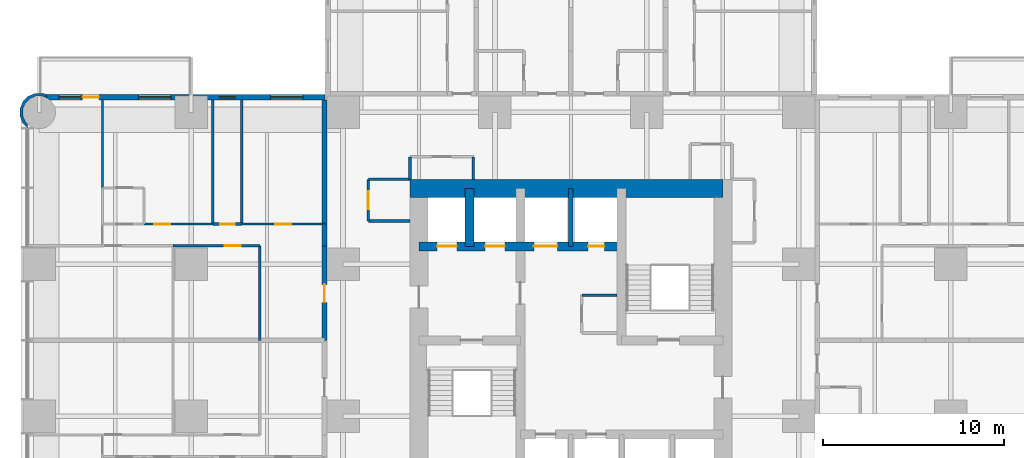
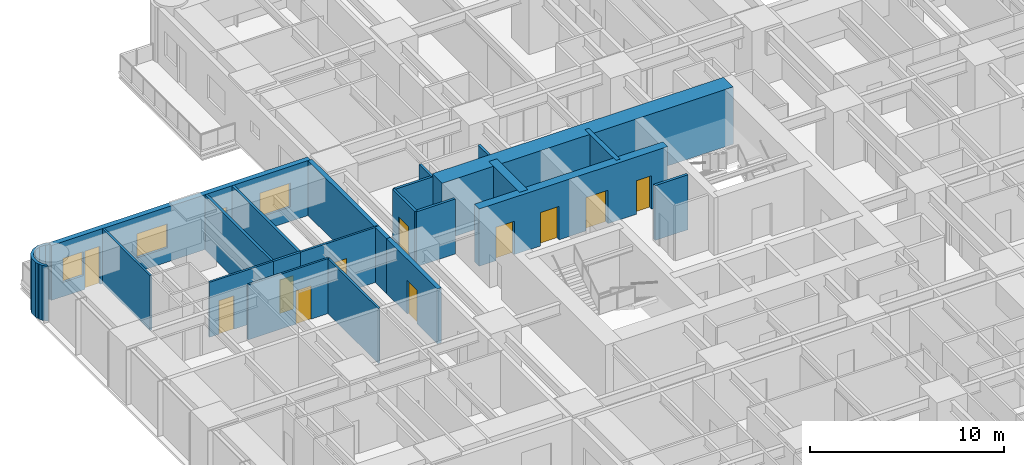
# One storey, part 12 of 17: 23 walls, 11 doors, 4 windows, 15 openings.
"""IFC4 building model written with IfcOpenShell, lengths in metres."""

from ifc_helpers import new_model, si_unit, direction, frame, frame_2d, origin, place, context, subcontext, project, spatial, polyline, rectangle, outline, extrude, material, layer, layer_set, type_object, element, fill, save


model = new_model("IFC4")

# Units and contexts
model_context = context("Model", 3, precision=1e-05, world=origin(), true_north=direction((0.0, 1.0)))
body_context = subcontext(model_context, "Body", "Model", "MODEL_VIEW")
ifc_project = project(units=[si_unit("LENGTHUNIT", "METRE"), si_unit("AREAUNIT", "SQUARE_METRE"), si_unit("VOLUMEUNIT", "CUBIC_METRE"), si_unit("PLANEANGLEUNIT", "RADIAN"), si_unit("MASSUNIT", "GRAM", prefix="KILO")], contexts=[model_context])

# Site, building, storey
site_placement = place(None, origin())
site = spatial("IfcSite", under=ifc_project, at=site_placement, CompositionType="ELEMENT")
building_placement = place(site_placement, origin())
building = spatial("IfcBuilding", under=site, at=building_placement, Name="Torre Alcanfor", CompositionType="ELEMENT")
storey_placement = place(building_placement, frame((0.0, 0.0, 92.10009765625)))
storey = spatial("IfcBuildingStorey", under=building, at=storey_placement, Name="L23", CompositionType="ELEMENT", Elevation=92.10009765625)

# Wall, opening, door
ifc_material_1 = material(Name="Concrete block masonry, hollow blocks NMX-C-404 9 MPa", Category="masonry")
ifc_layer_1 = layer(ifc_material_1, 0.25)
ifc_layer_set_1 = layer_set([ifc_layer_1], Name="Apartment entrance wall 250 EI 60")
wall_type_1 = type_object("IfcWallType", Name="Apartment entrance wall 250 EI 60", PredefinedType="PARTITIONING", material=ifc_layer_set_1)
wall_1_placement = place(storey_placement, frame((15.77490234375, 29.39990234375, 0.0), z_axis=(0.0, 0.0, 1.0), x_axis=(0.0, 1.0, 0.0)))
wall_1 = element("IfcWall", 1, at=wall_1_placement, inside=storey, type_object=wall_type_1, Name="Partition L23-CORR / L23-W2-ZAG", PredefinedType="PARTITIONING", context=body_context, shape_type="SweptSolid", body=[
    extrude(rectangle(XDim=5.22900390625, YDim=0.25, at=frame_2d((2.614501953125, 0.0))), origin(), (0.0, 0.0, 1.0), 3.449951171875),
])
opening_1_placement = place(wall_1_placement, frame((2.10009765625, 0.0, 0.0)))
opening_1 = element("IfcOpeningElement", 2, at=opening_1_placement, cuts=wall_1, Name="Opening D-A1", PredefinedType="OPENING", context=body_context, shape_type="SweptSolid", body=[
    extrude(rectangle(XDim=1.0, YDim=2.10009765625, at=frame_2d((0.5, 1.050048828125))), frame((0.0, 0.135009765625, 0.0), z_axis=(0.0, -1.0, 0.0), x_axis=(1.0, 0.0, 0.0)), (0.0, 0.0, 1.0), 0.27001953125),
])
ifc_material_2 = material(Name="Galvanised steel sheet ASTM A653", Category="steel")
door_type_1 = type_object("IfcDoorType", Name="Apartment entrance door FD60 1000x2100", OperationType="SINGLE_SWING_LEFT", PredefinedType="DOOR", material=ifc_material_2)
door_1_placement = place(opening_1_placement, origin())
door_1 = element("IfcDoor", 3, at=door_1_placement, inside=storey, type_object=door_type_1, Name="Apartment entrance L23-W2", OperationType="SINGLE_SWING_LEFT", OverallHeight=2.10009765625, OverallWidth=1.0, PredefinedType="DOOR", context=body_context, shape_type="SweptSolid", body=[
    extrude(rectangle(XDim=1.0, YDim=2.10009765625, at=frame_2d((0.5, 1.050048828125))), frame((0.0, 0.02490234375, 0.0), z_axis=(0.0, -1.0, 0.0), x_axis=(1.0, 0.0, 0.0)), (0.0, 0.0, 1.0), 0.050048828125),
])
fill(opening_1, door_1)

# Walls
wall_2_placement = place(storey_placement, frame((15.77490234375, 34.62890625, 0.0), z_axis=(0.0, 0.0, 1.0), x_axis=(0.0, 1.0, 0.0)))
element("IfcWall", 4, at=wall_2_placement, inside=storey, type_object=wall_type_1, Name="Partition L23-CORR / L23-W2-HALL", PredefinedType="PARTITIONING", context=body_context, shape_type="SweptSolid", body=[
    extrude(rectangle(XDim=1.2001953125, YDim=0.25, at=frame_2d((0.60009765625, 0.0))), origin(), (0.0, 0.0, 1.0), 3.449951171875),
])
wall_3_placement = place(storey_placement, frame((15.77490234375, 35.8291015625, 0.0), z_axis=(0.0, 0.0, 1.0), x_axis=(0.0, 1.0, 0.0)))
element("IfcWall", 5, at=wall_3_placement, inside=storey, type_object=wall_type_1, Name="Partition L23-CORR / L23-W2-BED2", PredefinedType="PARTITIONING", context=body_context, shape_type="SweptSolid", body=[
    extrude(rectangle(XDim=6.870849609375, YDim=0.25, at=frame_2d((3.435546875, 0.0))), origin(), (0.0, 0.0, 1.0), 3.449951171875),
])
ifc_material_3 = material(Name="Gypsum board on steel studs", Category="steel")
ifc_layer_2 = layer(ifc_material_3, 0.1201171875)
ifc_layer_set_2 = layer_set([ifc_layer_2], Name="Apartment partition 120")
wall_type_2 = type_object("IfcWallType", Name="Apartment partition 120", PredefinedType="PARTITIONING", material=ifc_layer_set_2)
wall_4_placement = place(storey_placement, frame((12.199951171875, 29.39990234375, 0.0), z_axis=(0.0, 0.0, 1.0), x_axis=(0.0, 1.0, 0.0)))
element("IfcWall", 6, at=wall_4_placement, inside=storey, type_object=wall_type_2, Name="Partition L23-W2-ZAG / L23-W2-FAMILY", PredefinedType="PARTITIONING", context=body_context, shape_type="SweptSolid", body=[
    extrude(rectangle(XDim=5.22900390625, YDim=0.1201171875, at=frame_2d((2.614501953125, 0.0))), origin(), (0.0, 0.0, 1.0), 3.449951171875),
])

# Wall, opening, door
wall_5_placement = place(storey_placement, frame((7.39990234375, 34.62890625, 0.0), z_axis=(0.0, 0.0, 1.0), x_axis=(1.0, 0.0, 0.0)))
wall_5 = element("IfcWall", 7, at=wall_5_placement, inside=storey, type_object=wall_type_2, Name="Partition L23-W2-FAMILY / L23-W2-HALL", PredefinedType="PARTITIONING", context=body_context, shape_type="SweptSolid", body=[
    extrude(rectangle(XDim=4.800048828125, YDim=0.1201171875, at=frame_2d((2.39990234375, 0.0))), origin(), (0.0, 0.0, 1.0), 3.449951171875),
])
opening_2_placement = place(wall_5_placement, frame((2.85009765625, 0.0, 0.0)))
opening_2 = element("IfcOpeningElement", 8, at=opening_2_placement, cuts=wall_5, Name="Opening D-R1", PredefinedType="OPENING", context=body_context, shape_type="SweptSolid", body=[
    extrude(rectangle(XDim=0.89990234375, YDim=2.10009765625, at=frame_2d((0.449951171875, 1.050048828125))), frame((0.0, 0.070068359375, 0.0), z_axis=(0.0, -1.0, 0.0), x_axis=(1.0, 0.0, 0.0)), (0.0, 0.0, 1.0), 0.14013671875),
])
ifc_material_4 = material(Name="Timber", Category="wood")
door_type_2 = type_object("IfcDoorType", Name="Internal door 900x2100", OperationType="SINGLE_SWING_LEFT", PredefinedType="DOOR", material=ifc_material_4)
door_2_placement = place(opening_2_placement, frame((0.89990234375, 0.0, 0.0), z_axis=(0.0, 0.0, 1.0), x_axis=(-1.0, 0.0, 0.0)))
door_2 = element("IfcDoor", 9, at=door_2_placement, inside=storey, type_object=door_type_2, Name="Door L23-W2 family", OperationType="SINGLE_SWING_LEFT", OverallHeight=2.10009765625, OverallWidth=0.89990234375, PredefinedType="DOOR", context=body_context, shape_type="SweptSolid", body=[
    extrude(rectangle(XDim=0.89990234375, YDim=2.10009765625, at=frame_2d((0.449951171875, 1.050048828125))), frame((0.0, 0.025146484375, 0.0), z_axis=(0.0, -1.0, 0.0), x_axis=(1.0, 0.0, 0.0)), (0.0, 0.0, 1.0), 0.050048828125),
])
fill(opening_2, door_2)

wall_6_placement = place(storey_placement, frame((11.199951171875, 35.8291015625, 0.0), z_axis=(0.0, 0.0, 1.0), x_axis=(1.0, 0.0, 0.0)))
wall_6 = element("IfcWall", 10, at=wall_6_placement, inside=storey, type_object=wall_type_2, Name="Partition L23-W2-HALL / L23-W2-BED2", PredefinedType="PARTITIONING", context=body_context, shape_type="SweptSolid", body=[
    extrude(rectangle(XDim=4.574951171875, YDim=0.1201171875, at=frame_2d((2.28759765625, 0.0))), origin(), (0.0, 0.0, 1.0), 3.449951171875),
])
opening_3_placement = place(wall_6_placement, frame((1.85009765625, 0.0, 0.0)))
opening_3 = element("IfcOpeningElement", 11, at=opening_3_placement, cuts=wall_6, Name="Opening D-R1", PredefinedType="OPENING", context=body_context, shape_type="SweptSolid", body=[
    extrude(rectangle(XDim=0.89990234375, YDim=2.10009765625, at=frame_2d((0.449951171875, 1.050048828125))), frame((0.0, 0.070068359375, 0.0), z_axis=(0.0, -1.0, 0.0), x_axis=(1.0, 0.0, 0.0)), (0.0, 0.0, 1.0), 0.14013671875),
])
door_3_placement = place(opening_3_placement, origin())
door_3 = element("IfcDoor", 12, at=door_3_placement, inside=storey, type_object=door_type_2, Name="Door L23-W2 bed2", OperationType="SINGLE_SWING_RIGHT", OverallHeight=2.10009765625, OverallWidth=0.89990234375, PredefinedType="DOOR", context=body_context, shape_type="SweptSolid", body=[
    extrude(rectangle(XDim=0.89990234375, YDim=2.10009765625, at=frame_2d((0.449951171875, 1.050048828125))), frame((0.0, 0.02490234375, 0.0), z_axis=(0.0, -1.0, 0.0), x_axis=(1.0, 0.0, 0.0)), (0.0, 0.0, 1.0), 0.050048828125),
])
fill(opening_3, door_3)

wall_7_placement = place(storey_placement, frame((5.800048828125, 35.8291015625, 0.0), z_axis=(0.0, 0.0, 1.0), x_axis=(1.0, 0.0, 0.0)))
wall_7 = element("IfcWall", 13, at=wall_7_placement, inside=storey, type_object=wall_type_2, Name="Partition L23-W2-HALL / L23-W2-MASTER", PredefinedType="PARTITIONING", context=body_context, shape_type="SweptSolid", body=[
    extrude(rectangle(XDim=3.800048828125, YDim=0.1201171875, at=frame_2d((1.89990234375, 0.0))), origin(), (0.0, 0.0, 1.0), 3.449951171875),
])
opening_4_placement = place(wall_7_placement, frame((0.550048828125, 0.0, 0.0)))
opening_4 = element("IfcOpeningElement", 14, at=opening_4_placement, cuts=wall_7, Name="Opening D-R1", PredefinedType="OPENING", context=body_context, shape_type="SweptSolid", body=[
    extrude(rectangle(XDim=0.89990234375, YDim=2.10009765625, at=frame_2d((0.449951171875, 1.050048828125))), frame((0.0, 0.070068359375, 0.0), z_axis=(0.0, -1.0, 0.0), x_axis=(1.0, 0.0, 0.0)), (0.0, 0.0, 1.0), 0.14013671875),
])
door_4_placement = place(opening_4_placement, origin())
door_4 = element("IfcDoor", 15, at=door_4_placement, inside=storey, type_object=door_type_2, Name="Door L23-W2 master", OperationType="SINGLE_SWING_LEFT", OverallHeight=2.10009765625, OverallWidth=0.89990234375, PredefinedType="DOOR", context=body_context, shape_type="SweptSolid", body=[
    extrude(rectangle(XDim=0.89990234375, YDim=2.10009765625, at=frame_2d((0.449951171875, 1.050048828125))), frame((0.0, 0.02490234375, 0.0), z_axis=(0.0, -1.0, 0.0), x_axis=(1.0, 0.0, 0.0)), (0.0, 0.0, 1.0), 0.050048828125),
])
fill(opening_4, door_4)

# Wall
wall_8_placement = place(storey_placement, frame((3.5, 37.8291015625, 0.0), z_axis=(0.0, 0.0, 1.0), x_axis=(0.0, 1.0, 0.0)))
element("IfcWall", 16, at=wall_8_placement, inside=storey, type_object=wall_type_2, Name="Partition L23-W2-MASTER / L23-W2-WGARD", PredefinedType="PARTITIONING", context=body_context, shape_type="SweptSolid", body=[
    extrude(rectangle(XDim=4.870849609375, YDim=0.1201171875, at=frame_2d((2.435546875, 0.0))), origin(), (0.0, 0.0, 1.0), 3.449951171875),
])

# Wall, openings, doors
ifc_material_5 = material(Name="Concrete f'c 70 MPa", Category="concrete")
ifc_layer_3 = layer(ifc_material_5, 0.5)
ifc_layer_set_3 = layer_set([ifc_layer_3], Name="Core inner wall 500 f'c70")
wall_type_3 = type_object("IfcWallType", Name="Core inner wall 500 f'c70", PredefinedType="SHEAR", material=ifc_layer_set_3)
wall_9_placement = place(storey_placement, frame((21.0, 34.60009765625, 0.0), z_axis=(0.0, 0.0, 1.0), x_axis=(1.0, 0.0, 0.0)))
wall_9 = element("IfcWall", 17, at=wall_9_placement, inside=storey, type_object=wall_type_3, Name="Core wall Y346 L23", PredefinedType="SHEAR", context=body_context, shape_type="SweptSolid", body=[
    extrude(rectangle(XDim=11.199951171875, YDim=0.5, at=frame_2d((5.60009765625, 0.0))), origin(), (0.0, 0.0, 1.0), 3.599853515625),
])
opening_5_placement = place(wall_9_placement, frame((9.35009765625, 0.0, 0.0)))
opening_5 = element("IfcOpeningElement", 18, at=opening_5_placement, cuts=wall_9, Name="Opening D-Q1", PredefinedType="OPENING", context=body_context, shape_type="SweptSolid", body=[
    extrude(rectangle(XDim=0.89990234375, YDim=2.10009765625, at=frame_2d((0.449951171875, 1.050048828125))), frame((0.0, 0.260009765625, 0.0), z_axis=(0.0, -1.0, 0.0), x_axis=(1.0, 0.0, 0.0)), (0.0, 0.0, 1.0), 0.52001953125),
])
opening_6_placement = place(wall_9_placement, frame((1.0, 0.0, 0.0)))
opening_6 = element("IfcOpeningElement", 19, at=opening_6_placement, cuts=wall_9, Name="Opening LD2", PredefinedType="OPENING", context=body_context, shape_type="SweptSolid", body=[
    extrude(rectangle(XDim=1.10009765625, YDim=2.10009765625, at=frame_2d((0.550048828125, 1.050048828125))), frame((0.0, 0.260009765625, 0.0), z_axis=(0.0, -1.0, 0.0), x_axis=(1.0, 0.0, 0.0)), (0.0, 0.0, 1.0), 0.52001953125),
])
opening_7_placement = place(wall_9_placement, frame((3.64990234375, 0.0, 0.0)))
opening_7 = element("IfcOpeningElement", 20, at=opening_7_placement, cuts=wall_9, Name="Opening LD2", PredefinedType="OPENING", context=body_context, shape_type="SweptSolid", body=[
    extrude(rectangle(XDim=1.10009765625, YDim=2.10009765625, at=frame_2d((0.550048828125, 1.050048828125))), frame((0.0, 0.260009765625, 0.0), z_axis=(0.0, -1.0, 0.0), x_axis=(1.0, 0.0, 0.0)), (0.0, 0.0, 1.0), 0.52001953125),
])
opening_8_placement = place(wall_9_placement, frame((6.35009765625, 0.0, 0.0)))
opening_8 = element("IfcOpeningElement", 21, at=opening_8_placement, cuts=wall_9, Name="Opening LD3", PredefinedType="OPENING", context=body_context, shape_type="SweptSolid", body=[
    extrude(rectangle(XDim=1.300048828125, YDim=2.10009765625, at=frame_2d((0.64990234375, 1.050048828125))), frame((0.0, 0.260009765625, 0.0), z_axis=(0.0, -1.0, 0.0), x_axis=(1.0, 0.0, 0.0)), (0.0, 0.0, 1.0), 0.52001953125),
])
ifc_material_6 = material(Name="Galvanised steel sheet ASTM A653", Category="steel")
door_type_3 = type_object("IfcDoorType", Name="Firefighting lift landing door 1100x2100", OperationType="DOUBLE_DOOR_SLIDING", PredefinedType="DOOR", material=ifc_material_6)
door_5_placement = place(opening_6_placement, origin())
door_5 = element("IfcDoor", 22, at=door_5_placement, inside=storey, type_object=door_type_3, Name="Lift landing door FL1 L23", OperationType="DOUBLE_DOOR_SLIDING", OverallHeight=2.10009765625, OverallWidth=1.10009765625, PredefinedType="DOOR", context=body_context, shape_type="SweptSolid", body=[
    extrude(rectangle(XDim=1.10009765625, YDim=2.10009765625, at=frame_2d((0.550048828125, 1.050048828125))), frame((0.0, 0.02490234375, 0.0), z_axis=(0.0, -1.0, 0.0), x_axis=(1.0, 0.0, 0.0)), (0.0, 0.0, 1.0), 0.050048828125),
])
fill(opening_6, door_5)
door_6_placement = place(opening_7_placement, origin())
door_6 = element("IfcDoor", 23, at=door_6_placement, inside=storey, type_object=door_type_3, Name="Lift landing door FL2 L23", OperationType="DOUBLE_DOOR_SLIDING", OverallHeight=2.10009765625, OverallWidth=1.10009765625, PredefinedType="DOOR", context=body_context, shape_type="SweptSolid", body=[
    extrude(rectangle(XDim=1.10009765625, YDim=2.10009765625, at=frame_2d((0.550048828125, 1.050048828125))), frame((0.0, 0.02490234375, 0.0), z_axis=(0.0, -1.0, 0.0), x_axis=(1.0, 0.0, 0.0)), (0.0, 0.0, 1.0), 0.050048828125),
])
fill(opening_7, door_6)
ifc_material_7 = material(Name="Galvanised steel sheet ASTM A653", Category="steel")
door_type_4 = type_object("IfcDoorType", Name="Riser access door FD120 900x2100", OperationType="SINGLE_SWING_LEFT", PredefinedType="DOOR", material=ifc_material_7)
door_7_placement = place(opening_5_placement, origin())
door_7 = element("IfcDoor", 24, at=door_7_placement, inside=storey, type_object=door_type_4, Name="Riser door L23", OperationType="SINGLE_SWING_LEFT", OverallHeight=2.10009765625, OverallWidth=0.89990234375, PredefinedType="DOOR", context=body_context, shape_type="SweptSolid", body=[
    extrude(rectangle(XDim=0.89990234375, YDim=2.10009765625, at=frame_2d((0.449951171875, 1.050048828125))), frame((0.0, 0.02490234375, 0.0), z_axis=(0.0, -1.0, 0.0), x_axis=(1.0, 0.0, 0.0)), (0.0, 0.0, 1.0), 0.050048828125),
])
fill(opening_5, door_7)
ifc_material_8 = material(Name="Galvanised steel sheet ASTM A653", Category="steel")
door_type_5 = type_object("IfcDoorType", Name="Service lift landing door 1300x2100", OperationType="DOUBLE_DOOR_SLIDING", PredefinedType="DOOR", material=ifc_material_8)
door_8_placement = place(opening_8_placement, origin())
door_8 = element("IfcDoor", 25, at=door_8_placement, inside=storey, type_object=door_type_5, Name="Lift landing door SL1 L23", OperationType="DOUBLE_DOOR_SLIDING", OverallHeight=2.10009765625, OverallWidth=1.300048828125, PredefinedType="DOOR", context=body_context, shape_type="SweptSolid", body=[
    extrude(rectangle(XDim=1.300048828125, YDim=2.10009765625, at=frame_2d((0.64990234375, 1.050048828125))), frame((0.0, 0.02490234375, 0.0), z_axis=(0.0, -1.0, 0.0), x_axis=(1.0, 0.0, 0.0)), (0.0, 0.0, 1.0), 0.050048828125),
])
fill(opening_8, door_8)

# Walls
wall_10_placement = place(storey_placement, frame((23.800048828125, 34.60009765625, 0.0), z_axis=(0.0, 0.0, 1.0), x_axis=(0.0, 1.0, 0.0)))
element("IfcWall", 26, at=wall_10_placement, inside=storey, type_object=wall_type_3, Name="Core wall X238 L23", PredefinedType="SHEAR", context=body_context, shape_type="SweptSolid", body=[
    extrude(rectangle(XDim=3.199951171875, YDim=0.5, at=frame_2d((1.60009765625, 0.0))), origin(), (0.0, 0.0, 1.0), 3.599853515625),
])
ifc_material_9 = material(Name="Concrete f'c 70 MPa", Category="concrete")
ifc_layer_4 = layer(ifc_material_9, 0.25)
ifc_layer_set_4 = layer_set([ifc_layer_4], Name="Core shaft wall 250 f'c70")
wall_type_4 = type_object("IfcWallType", Name="Core shaft wall 250 f'c70", PredefinedType="SHEAR", material=ifc_layer_set_4)
wall_11_placement = place(storey_placement, frame((29.39990234375, 34.60009765625, 0.0), z_axis=(0.0, 0.0, 1.0), x_axis=(0.0, 1.0, 0.0)))
element("IfcWall", 27, at=wall_11_placement, inside=storey, type_object=wall_type_4, Name="Core wall X294N L23", PredefinedType="SHEAR", context=body_context, shape_type="SweptSolid", body=[
    extrude(rectangle(XDim=3.199951171875, YDim=0.25, at=frame_2d((1.60009765625, 0.0))), origin(), (0.0, 0.0, 1.0), 3.599853515625),
])
ifc_material_10 = material(Name="Concrete f'c 70 MPa", Category="concrete")
ifc_layer_5 = layer(ifc_material_10, 1.0)
ifc_layer_set_5 = layer_set([ifc_layer_5], Name="Core wall 1000 f'c70")
wall_type_5 = type_object("IfcWallType", Name="Core wall 1000 f'c70", PredefinedType="SHEAR", material=ifc_layer_set_5)
wall_12_placement = place(storey_placement, frame((37.800048828125, 37.800048828125, 0.0), z_axis=(0.0, 0.0, 1.0), x_axis=(-1.0, 0.0, 0.0)))
element("IfcWall", 28, at=wall_12_placement, inside=storey, type_object=wall_type_5, Name="Core wall OUT-N L23", PredefinedType="SHEAR", context=body_context, shape_type="SweptSolid", body=[
    extrude(rectangle(XDim=17.300048828125, YDim=1.0, at=frame_2d((8.64990234375, 0.0))), origin(), (0.0, 0.0, 1.0), 3.599853515625),
])

# Wall, openings, door, windows
ifc_material_11 = material(Name="Limestone cladding", Category="masonry")
ifc_layer_6 = layer(ifc_material_11, 0.0400390625, Name="Facing")
ifc_material_12 = material(Name="Ventilated air cavity")
ifc_layer_7 = layer(ifc_material_12, 0.02001953125, ventilated=True, Name="Ventilated joint")
ifc_material_13 = material(Name="Mineral wool insulation", Category="insulation")
ifc_layer_8 = layer(ifc_material_13, 0.10009765625, Name="Insulation")
ifc_material_14 = material(Name="Concrete f'c 35 MPa", Category="concrete")
ifc_layer_9 = layer(ifc_material_14, 0.139892578125, Name="Backing")
ifc_layer_set_6 = layer_set([ifc_layer_6, ifc_layer_7, ifc_layer_8, ifc_layer_9], Name="External wall stone-clad 300")
wall_type_6 = type_object("IfcWallType", Name="External wall stone-clad 300", PredefinedType="SOLIDWALL", material=ifc_layer_set_6)
wall_13_placement = place(storey_placement, frame((15.800048828125, 42.85009765625, 0.0), z_axis=(0.0, 0.0, 1.0), x_axis=(-1.0, 0.0, 0.0)))
wall_13 = element("IfcWall", 29, at=wall_13_placement, inside=storey, type_object=wall_type_6, Name="External wall L23 1", PredefinedType="SOLIDWALL", context=body_context, shape_type="SweptSolid", body=[
    extrude(rectangle(XDim=15.400146484375, YDim=0.300048828125, at=frame_2d((7.7001953125, 0.0))), origin(), (0.0, 0.0, 1.0), 3.449951171875),
])
opening_9_placement = place(wall_13_placement, frame((1.199951171875, 0.0, 0.89990234375)))
opening_9 = element("IfcOpeningElement", 30, at=opening_9_placement, cuts=wall_13, Name="Opening W2", PredefinedType="OPENING", context=body_context, shape_type="SweptSolid", body=[
    extrude(rectangle(XDim=1.800048828125, YDim=1.5, at=frame_2d((0.89990234375, 0.75))), frame((0.0, 0.159912109375, 0.0), z_axis=(0.0, -1.0, 0.0), x_axis=(1.0, 0.0, 0.0)), (0.0, 0.0, 1.0), 0.320068359375),
])
opening_10_placement = place(wall_13_placement, frame((4.949951171875, 0.0, 1.5)))
opening_10 = element("IfcOpeningElement", 31, at=opening_10_placement, cuts=wall_13, Name="Opening W3", PredefinedType="OPENING", context=body_context, shape_type="SweptSolid", body=[
    extrude(rectangle(XDim=0.89990234375, YDim=0.699951171875, at=frame_2d((0.449951171875, 0.35009765625))), frame((0.0, 0.159912109375, 0.0), z_axis=(0.0, -1.0, 0.0), x_axis=(1.0, 0.0, 0.0)), (0.0, 0.0, 1.0), 0.320068359375),
])
opening_11_placement = place(wall_13_placement, frame((8.5, 0.0, 0.89990234375)))
opening_11 = element("IfcOpeningElement", 32, at=opening_11_placement, cuts=wall_13, Name="Opening W2", PredefinedType="OPENING", context=body_context, shape_type="SweptSolid", body=[
    extrude(rectangle(XDim=1.800048828125, YDim=1.5, at=frame_2d((0.89990234375, 0.75))), frame((0.0, 0.159912109375, 0.0), z_axis=(0.0, -1.0, 0.0), x_axis=(1.0, 0.0, 0.0)), (0.0, 0.0, 1.0), 0.320068359375),
])
opening_12_placement = place(wall_13_placement, frame((12.5, 0.0, 0.0)))
opening_12 = element("IfcOpeningElement", 33, at=opening_12_placement, cuts=wall_13, Name="Opening D-B1", PredefinedType="OPENING", context=body_context, shape_type="SweptSolid", body=[
    extrude(rectangle(XDim=0.89990234375, YDim=2.39990234375, at=frame_2d((0.449951171875, 1.199951171875))), frame((0.0, 0.159912109375, 0.0), z_axis=(0.0, -1.0, 0.0), x_axis=(1.0, 0.0, 0.0)), (0.0, 0.0, 1.0), 0.320068359375),
])
opening_13_placement = place(wall_13_placement, frame((13.5, 0.0, 0.89990234375)))
opening_13 = element("IfcOpeningElement", 34, at=opening_13_placement, cuts=wall_13, Name="Opening W4", PredefinedType="OPENING", context=body_context, shape_type="SweptSolid", body=[
    extrude(rectangle(XDim=1.199951171875, YDim=1.5, at=frame_2d((0.60009765625, 0.75))), frame((0.0, 0.159912109375, 0.0), z_axis=(0.0, -1.0, 0.0), x_axis=(1.0, 0.0, 0.0)), (0.0, 0.0, 1.0), 0.320068359375),
])
ifc_material_15 = material(Name="Aluminium and glass", Category="aluminium")
door_type_6 = type_object("IfcDoorType", Name="Balcony door glazed 900x2400", OperationType="SINGLE_SWING_LEFT", PredefinedType="DOOR", material=ifc_material_15)
door_9_placement = place(opening_12_placement, origin())
door_9 = element("IfcDoor", 35, at=door_9_placement, inside=storey, type_object=door_type_6, Name="Balcony door L23-W2", OperationType="SINGLE_SWING_LEFT", OverallHeight=2.39990234375, OverallWidth=0.89990234375, PredefinedType="DOOR", context=body_context, shape_type="SweptSolid", body=[
    extrude(rectangle(XDim=0.89990234375, YDim=2.39990234375, at=frame_2d((0.449951171875, 1.199951171875))), frame((0.0, 0.02490234375, 0.0), z_axis=(0.0, -1.0, 0.0), x_axis=(1.0, 0.0, 0.0)), (0.0, 0.0, 1.0), 0.050048828125),
])
fill(opening_12, door_9)
ifc_material_16 = material(Name="Aluminium frame with clear double glazing", Category="aluminium")
window_type_1 = type_object("IfcWindowType", Name="Window bathroom 900x700", PartitioningType="SINGLE_PANEL", PredefinedType="WINDOW", material=ifc_material_16)
window_1_placement = place(opening_10_placement, origin())
window_1 = element("IfcWindow", 36, at=window_1_placement, inside=storey, type_object=window_type_1, Name="Window W3 L23-W2", OverallHeight=0.699951171875, OverallWidth=0.89990234375, PartitioningType="SINGLE_PANEL", PredefinedType="WINDOW", context=body_context, shape_type="SweptSolid", body=[
    extrude(rectangle(XDim=0.89990234375, YDim=0.699951171875, at=frame_2d((0.449951171875, 0.35009765625))), frame((0.0, 0.030029296875, 0.0), z_axis=(0.0, -1.0, 0.0), x_axis=(1.0, 0.0, 0.0)), (0.0, 0.0, 1.0), 0.06005859375),
])
fill(opening_10, window_1)
ifc_material_17 = material(Name="Aluminium frame with clear double glazing", Category="aluminium")
window_type_2 = type_object("IfcWindowType", Name="Window bedroom 1200x1500", PartitioningType="SINGLE_PANEL", PredefinedType="WINDOW", material=ifc_material_17)
window_2_placement = place(opening_13_placement, origin())
window_2 = element("IfcWindow", 37, at=window_2_placement, inside=storey, type_object=window_type_2, Name="Window W4 L23-W2", OverallHeight=1.5, OverallWidth=1.199951171875, PartitioningType="SINGLE_PANEL", PredefinedType="WINDOW", context=body_context, shape_type="SweptSolid", body=[
    extrude(rectangle(XDim=1.199951171875, YDim=1.5, at=frame_2d((0.60009765625, 0.75))), frame((0.0, 0.030029296875, 0.0), z_axis=(0.0, -1.0, 0.0), x_axis=(1.0, 0.0, 0.0)), (0.0, 0.0, 1.0), 0.06005859375),
])
fill(opening_13, window_2)
ifc_material_18 = material(Name="Aluminium frame with clear double glazing", Category="aluminium")
window_type_3 = type_object("IfcWindowType", Name="Window bedroom 1800x1500", PartitioningType="SINGLE_PANEL", PredefinedType="WINDOW", material=ifc_material_18)
window_3_placement = place(opening_9_placement, origin())
window_3 = element("IfcWindow", 38, at=window_3_placement, inside=storey, type_object=window_type_3, Name="Window W2 L23-W2", OverallHeight=1.5, OverallWidth=1.800048828125, PartitioningType="SINGLE_PANEL", PredefinedType="WINDOW", context=body_context, shape_type="SweptSolid", body=[
    extrude(rectangle(XDim=1.800048828125, YDim=1.5, at=frame_2d((0.89990234375, 0.75))), frame((0.0, 0.030029296875, 0.0), z_axis=(0.0, -1.0, 0.0), x_axis=(1.0, 0.0, 0.0)), (0.0, 0.0, 1.0), 0.06005859375),
])
fill(opening_9, window_3)
window_4_placement = place(opening_11_placement, origin())
window_4 = element("IfcWindow", 39, at=window_4_placement, inside=storey, type_object=window_type_3, Name="Window W2 L23-W2", OverallHeight=1.5, OverallWidth=1.800048828125, PartitioningType="SINGLE_PANEL", PredefinedType="WINDOW", context=body_context, shape_type="SweptSolid", body=[
    extrude(rectangle(XDim=1.800048828125, YDim=1.5, at=frame_2d((0.89990234375, 0.75))), frame((0.0, 0.030029296875, 0.0), z_axis=(0.0, -1.0, 0.0), x_axis=(1.0, 0.0, 0.0)), (0.0, 0.0, 1.0), 0.06005859375),
])
fill(opening_11, window_4)

# Walls
ifc_material_19 = material(Name="Concrete block masonry, hollow blocks NMX-C-404 9 MPa", Category="masonry")
ifc_layer_10 = layer(ifc_material_19, 0.14990234375)
ifc_layer_set_7 = layer_set([ifc_layer_10], Name="Residents' room partition 150")
wall_type_7 = type_object("IfcWallType", Name="Residents' room partition 150", PredefinedType="PARTITIONING", material=ifc_layer_set_7)
for number, where, z_axis, x_axis, name in (
    (40, (24.0, 38.300048828125, 0.0), (0.0, 0.0, 1.0), (0.0, 1.0, 0.0), "Partition L23-CORR / L23-G01"),
    (41, (20.5, 39.550048828125, 0.0), (0.0, 0.0, 1.0), (0.0, -1.0, 0.0), "Partition L23-CORR / L23-G01"),
):
    element("IfcWall", number, at=place(storey_placement, frame(where, z_axis=z_axis, x_axis=x_axis)), inside=storey, type_object=wall_type_7, Name=name, PredefinedType="PARTITIONING", context=body_context, shape_type="SweptSolid", body=[
        extrude(rectangle(XDim=1.25, YDim=0.14990234375, at=frame_2d((0.625, 0.0))), origin(), (0.0, 0.0, 1.0), 3.449951171875),
    ])
wall_14_placement = place(storey_placement, frame((20.5, 38.300048828125, 0.0), z_axis=(0.0, 0.0, 1.0), x_axis=(-1.0, 0.0, 0.0)))
element("IfcWall", 42, at=wall_14_placement, inside=storey, type_object=wall_type_7, Name="Partition L23-CORR / L23-G07", PredefinedType="PARTITIONING", context=body_context, shape_type="SweptSolid", body=[
    extrude(rectangle(XDim=2.300048828125, YDim=0.14990234375, at=frame_2d((1.14990234375, 0.0))), origin(), (0.0, 0.0, 1.0), 3.449951171875),
])

# Wall, opening, door
wall_15_placement = place(storey_placement, frame((18.199951171875, 38.300048828125, 0.0), z_axis=(0.0, 0.0, 1.0), x_axis=(0.0, -1.0, 0.0)))
wall_15 = element("IfcWall", 43, at=wall_15_placement, inside=storey, type_object=wall_type_7, Name="Partition L23-CORR / L23-G07", PredefinedType="PARTITIONING", context=body_context, shape_type="SweptSolid", body=[
    extrude(rectangle(XDim=2.300048828125, YDim=0.14990234375, at=frame_2d((1.14990234375, 0.0))), origin(), (0.0, 0.0, 1.0), 3.449951171875),
])
opening_14_placement = place(wall_15_placement, frame((0.64990234375, 0.0, 0.0)))
opening_14 = element("IfcOpeningElement", 44, at=opening_14_placement, cuts=wall_15, Name="Opening D-M1", PredefinedType="OPENING", context=body_context, shape_type="SweptSolid", body=[
    extrude(rectangle(XDim=1.0, YDim=2.10009765625, at=frame_2d((0.5, 1.050048828125))), frame((0.0, 0.0849609375, 0.0), z_axis=(0.0, -1.0, 0.0), x_axis=(1.0, 0.0, 0.0)), (0.0, 0.0, 1.0), 0.169921875),
])
ifc_material_20 = material(Name="Timber", Category="wood")
door_type_7 = type_object("IfcDoorType", Name="Residents' room door 1000x2100", OperationType="SINGLE_SWING_LEFT", PredefinedType="DOOR", material=ifc_material_20)
door_10_placement = place(opening_14_placement, origin())
door_10 = element("IfcDoor", 45, at=door_10_placement, inside=storey, type_object=door_type_7, Name="Door L23-G07 parcel room", OperationType="SINGLE_SWING_LEFT", OverallHeight=2.10009765625, OverallWidth=1.0, PredefinedType="DOOR", context=body_context, shape_type="SweptSolid", body=[
    extrude(rectangle(XDim=1.0, YDim=2.10009765625, at=frame_2d((0.5, 1.050048828125))), frame((0.0, 0.02490234375, 0.0), z_axis=(0.0, -1.0, 0.0), x_axis=(1.0, 0.0, 0.0)), (0.0, 0.0, 1.0), 0.050048828125),
])
fill(opening_14, door_10)

# Walls
wall_16_placement = place(storey_placement, frame((18.199951171875, 36.0, 0.0), z_axis=(0.0, 0.0, 1.0), x_axis=(1.0, 0.0, 0.0)))
element("IfcWall", 46, at=wall_16_placement, inside=storey, type_object=wall_type_7, Name="Partition L23-CORR / L23-G07", PredefinedType="PARTITIONING", context=body_context, shape_type="SweptSolid", body=[
    extrude(rectangle(XDim=2.300048828125, YDim=0.14990234375, at=frame_2d((1.14990234375, 0.0))), origin(), (0.0, 0.0, 1.0), 3.449951171875),
])
ifc_layer_11 = layer(ifc_material_11, 0.0400390625, Name="Facing")
ifc_layer_12 = layer(ifc_material_12, 0.02001953125, ventilated=True, Name="Ventilated joint")
ifc_layer_13 = layer(ifc_material_13, 0.10009765625, Name="Insulation")
ifc_layer_14 = layer(ifc_material_14, 0.139892578125, Name="Backing")
ifc_layer_set_8 = layer_set([ifc_layer_11, ifc_layer_12, ifc_layer_13, ifc_layer_14], Name="Rounded corner pier stone-clad 300")
wall_type_8 = type_object("IfcWallType", Name="Rounded corner pier stone-clad 300", PredefinedType="SOLIDWALL", material=ifc_layer_set_8)
wall_17_placement = place(storey_placement, frame((0.363962863, 42.909907157, 0.0), z_axis=(0.0, 0.0, 1.0), x_axis=(-0.926129809145, 0.377204953059, 0.0)))
element("IfcWall", 47, at=wall_17_placement, inside=storey, type_object=wall_type_8, Name="Corner pier L23 13", PredefinedType="SOLIDWALL", context=body_context, shape_type="SweptSolid", body=[
    extrude(outline(polyline([(0.36027248147905344, 1.8032799323574271), (0.5087783723473315, 1.740921099842025), (0.7605913470133172, 1.4857584601095954), (0.8957810128069955, 1.1538349835897281), (0.8939031559639274, 0.7953461823991875), (0.7547957339381889, 0.4650577343600455), (0.4996330942057594, 0.21324475969405968), (0.1677096176858921, 0.07805509390038129), (-0.09992182078970525, 0.07950523369113624), (0.0006988421670046999, -0.09699421764222865), (0.0300177129428464, -0.08030783699434613), (0.19858532179107968, -0.08124570553990346), (0.5888441232034033, 0.0777034519259609), (0.8888369702307105, 0.374136779300854), (1.052603126025944, 0.7629734686109036), (1.0550818122472803, 1.1847106876949156), (0.8961326547814159, 1.5749694891072394), (0.7776866026168303, 1.6949130219751851), (0.7691400347446393, 1.7275471706587737), (0.7502646662372825, 1.7227591424871238), (0.599699327406523, 1.8749623361345464), (0.2945484394782597, 2.0034825844222954), (0.2809820848521072, 1.9979571212427172), (0.36027248147905344, 1.8032799323574271)])), origin(), (0.0, 0.0, 1.0), 3.449951171875),
])

# Wall, opening, door
ifc_material_21 = material(Name="Cement board on steel studs", Category="steel")
ifc_layer_15 = layer(ifc_material_21, 0.14990234375)
ifc_layer_set_9 = layer_set([ifc_layer_15], Name="Wet area partition 150")
wall_type_9 = type_object("IfcWallType", Name="Wet area partition 150", PredefinedType="PARTITIONING", material=ifc_layer_set_9)
wall_18_placement = place(storey_placement, frame((9.60009765625, 35.8291015625, 0.0), z_axis=(0.0, 0.0, 1.0), x_axis=(1.0, 0.0, 0.0)))
wall_18 = element("IfcWall", 48, at=wall_18_placement, inside=storey, type_object=wall_type_9, Name="Partition L23-W2-HALL / L23-W2-BATH1", PredefinedType="PARTITIONING", context=body_context, shape_type="SweptSolid", body=[
    extrude(rectangle(XDim=1.599853515625, YDim=0.14990234375, at=frame_2d((0.7998046875, 0.0))), origin(), (0.0, 0.0, 1.0), 3.449951171875),
])
opening_15_placement = place(wall_18_placement, frame((0.39990234375, 0.0, 0.0)))
opening_15 = element("IfcOpeningElement", 49, at=opening_15_placement, cuts=wall_18, Name="Opening D-R2", PredefinedType="OPENING", context=body_context, shape_type="SweptSolid", body=[
    extrude(rectangle(XDim=0.800048828125, YDim=2.10009765625, at=frame_2d((0.39990234375, 1.050048828125))), frame((0.0, 0.0849609375, 0.0), z_axis=(0.0, -1.0, 0.0), x_axis=(1.0, 0.0, 0.0)), (0.0, 0.0, 1.0), 0.169921875),
])
ifc_material_22 = material(Name="Timber", Category="wood")
door_type_8 = type_object("IfcDoorType", Name="Bathroom door 800x2100", OperationType="SINGLE_SWING_LEFT", PredefinedType="DOOR", material=ifc_material_22)
door_11_placement = place(opening_15_placement, origin())
door_11 = element("IfcDoor", 50, at=door_11_placement, inside=storey, type_object=door_type_8, Name="Door L23-W2 bath1", OperationType="SINGLE_SWING_LEFT", OverallHeight=2.10009765625, OverallWidth=0.800048828125, PredefinedType="DOOR", context=body_context, shape_type="SweptSolid", body=[
    extrude(rectangle(XDim=0.800048828125, YDim=2.10009765625, at=frame_2d((0.39990234375, 1.050048828125))), frame((0.0, 0.02490234375, 0.0), z_axis=(0.0, -1.0, 0.0), x_axis=(1.0, 0.0, 0.0)), (0.0, 0.0, 1.0), 0.050048828125),
])
fill(opening_15, door_11)

# Walls
for number, where, z_axis, x_axis, name in (
    (51, (11.199951171875, 35.8291015625, 0.0), (0.0, 0.0, 1.0), (0.0, 1.0, 0.0), "Partition L23-W2-BED2 / L23-W2-BATH1"),
    (52, (9.60009765625, 35.8291015625, 0.0), (0.0, 0.0, 1.0), (0.0, 1.0, 0.0), "Partition L23-W2-BATH1 / L23-W2-MASTER"),
):
    element("IfcWall", number, at=place(storey_placement, frame(where, z_axis=z_axis, x_axis=x_axis)), inside=storey, type_object=wall_type_9, Name=name, PredefinedType="PARTITIONING", context=body_context, shape_type="SweptSolid", body=[
        extrude(rectangle(XDim=6.870849609375, YDim=0.14990234375, at=frame_2d((3.435546875, 0.0))), origin(), (0.0, 0.0, 1.0), 3.449951171875),
    ])
wall_19_placement = place(storey_placement, frame((30.0, 31.89990234375, 0.0), z_axis=(0.0, 0.0, 1.0), x_axis=(1.0, 0.0, 0.0)))
element("IfcWall", 53, at=wall_19_placement, inside=storey, type_object=wall_type_9, Name="Partition L23-LL / L23-CR1", PredefinedType="PARTITIONING", context=body_context, shape_type="SweptSolid", body=[
    extrude(rectangle(XDim=1.949951171875, YDim=0.14990234375, at=frame_2d((0.97509765625, 0.0))), origin(), (0.0, 0.0, 1.0), 3.449951171875),
])

save(model, "model.ifc")
